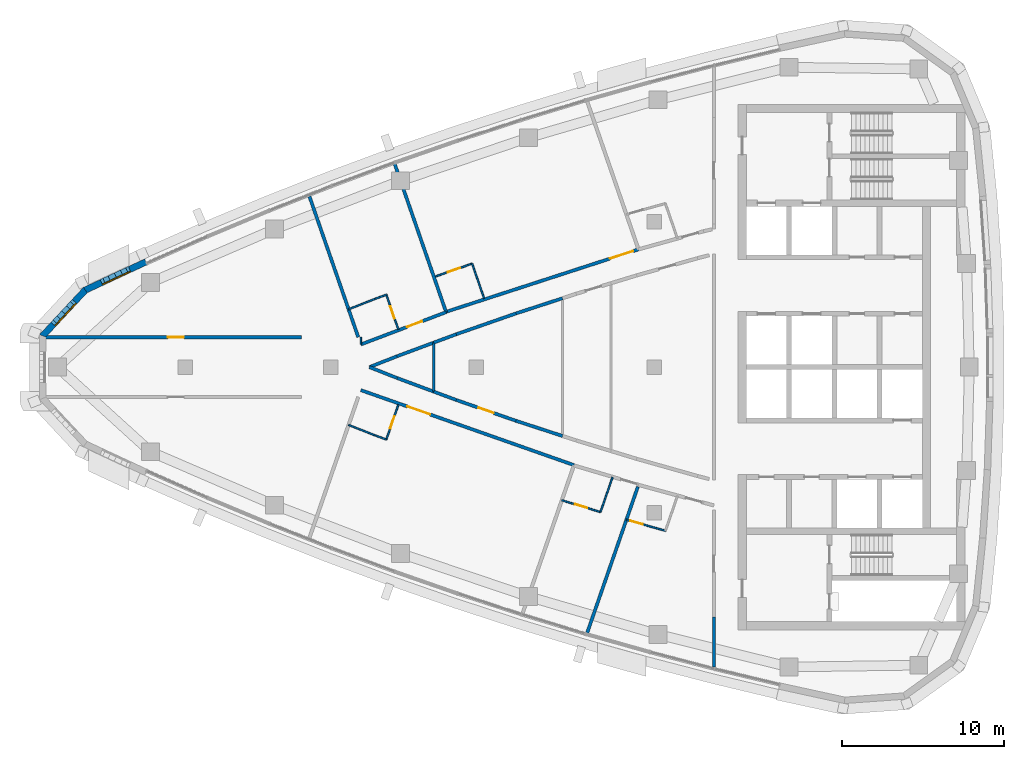
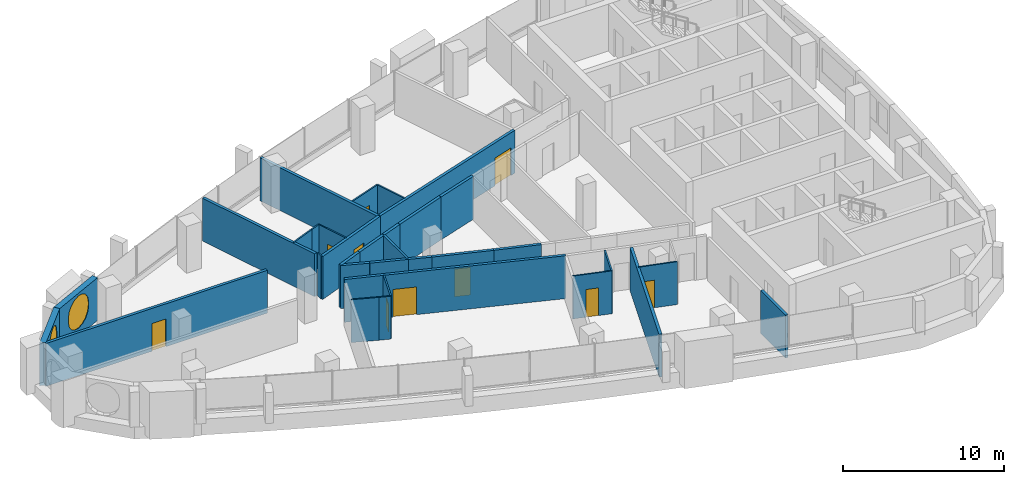
# One storey, part 7 of 14: 33 walls, 10 doors, 2 windows, 12 openings.
"""IFC4 building model written with IfcOpenShell, lengths in metres."""

from ifc_helpers import new_model, si_unit, direction, frame, frame_2d, origin, place, context, subcontext, project, spatial, polyline, rectangle, outline, extrude, material, layer, layer_set, type_object, element, fill, save


model = new_model("IFC4")

# Units and contexts
model_context = context("Model", 3, precision=1e-05, world=origin(), true_north=direction((0.0, 1.0)))
body_context = subcontext(model_context, "Body", "Model", "MODEL_VIEW")
ifc_project = project(units=[si_unit("LENGTHUNIT", "METRE"), si_unit("AREAUNIT", "SQUARE_METRE"), si_unit("VOLUMEUNIT", "CUBIC_METRE"), si_unit("PLANEANGLEUNIT", "RADIAN"), si_unit("MASSUNIT", "GRAM", prefix="KILO")], contexts=[model_context])

# Site, building, storey
site_placement = place(None, origin())
site = spatial("IfcSite", under=ifc_project, at=site_placement, CompositionType="ELEMENT")
building_placement = place(site_placement, origin())
building = spatial("IfcBuilding", under=site, at=building_placement, Name="Ostrand Prow Hotel Tower", CompositionType="ELEMENT")
storey_placement = place(building_placement, frame((0.0, 0.0, 271.449951171875)))
storey = spatial("IfcBuildingStorey", under=building, at=storey_placement, Name="L68", CompositionType="ELEMENT", Elevation=271.449951171875)

# Walls
ifc_material_1 = material(Name="Plasterboard partition")
ifc_layer_1 = layer(ifc_material_1, 0.10009765625)
ifc_layer_set_1 = layer_set([ifc_layer_1], Name="Plasterboard partition")
wall_type_1 = type_object("IfcWallType", Name="Partition 100 bathroom wall", PredefinedType="PARTITIONING", material=ifc_layer_set_1)
wall_1_placement = place(storey_placement, frame((26.095703125, 3.576171875, 0.0), z_axis=(0.0, 0.0, 1.0), x_axis=(0.930254925629, 0.366913850028, 0.0)))
element("IfcWall", 1, at=wall_1_placement, inside=storey, type_object=wall_type_1, Name="BATHROOM WALL", PredefinedType="PARTITIONING", context=body_context, shape_type="SweptSolid", body=[
    extrude(rectangle(XDim=1.760009765625, YDim=0.10009765625, at=frame_2d((0.8798828125, 0.0))), origin(), (0.0, 0.0, 1.0), 3.25),
])
wall_2_placement = place(storey_placement, frame((27.73291015625, 4.221923828125, 0.0), z_axis=(0.0, 0.0, 1.0), x_axis=(0.937514267289, 0.347946833049, 0.0)))
element("IfcWall", 2, at=wall_2_placement, inside=storey, type_object=wall_type_1, Name="BATHROOM WALL", PredefinedType="PARTITIONING", context=body_context, shape_type="SweptSolid", body=[
    extrude(rectangle(XDim=0.74169921875, YDim=0.10009765625, at=frame_2d((0.370849609375, 0.0))), origin(), (0.0, 0.0, 1.0), 3.25),
])

# Wall, opening, door
wall_3_placement = place(storey_placement, frame((28.42822265625, 4.47998046875, 0.0), z_axis=(0.0, 0.0, 1.0), x_axis=(0.327718024288, -0.944775579996, 0.0)))
wall_3 = element("IfcWall", 3, at=wall_3_placement, inside=storey, type_object=wall_type_1, Name="BATHROOM WALL", PredefinedType="PARTITIONING", context=body_context, shape_type="SweptSolid", body=[
    extrude(rectangle(XDim=2.27734375, YDim=0.10009765625, at=frame_2d((1.138671875, 0.0))), origin(), (0.0, 0.0, 1.0), 3.25),
])
opening_1_placement = place(wall_3_placement, frame((0.75, 0.0, 0.0)))
opening_1 = element("IfcOpeningElement", 4, at=opening_1_placement, cuts=wall_3, Name="Opening D2", PredefinedType="OPENING", context=body_context, shape_type="SweptSolid", body=[
    extrude(rectangle(XDim=0.800048828125, YDim=2.10009765625, at=frame_2d((0.39990234375, 1.050048828125))), frame((0.0, 0.06005859375, 0.0), z_axis=(0.0, -1.0, 0.0), x_axis=(1.0, 0.0, 0.0)), (0.0, 0.0, 1.0), 0.1201171875),
])
ifc_material_2 = material(Name="Timber door leaf", Category="wood")
door_type_1 = type_object("IfcDoorType", Name="Bathroom door 800", OperationType="SINGLE_SWING_LEFT", PredefinedType="DOOR", material=ifc_material_2)
door_1_placement = place(opening_1_placement, origin())
door_1 = element("IfcDoor", 5, at=door_1_placement, inside=storey, type_object=door_type_1, Name="DOOR", OperationType="SINGLE_SWING_LEFT", OverallHeight=2.10009765625, OverallWidth=0.800048828125, PredefinedType="DOOR", context=body_context, shape_type="SweptSolid", body=[
    extrude(rectangle(XDim=0.800048828125, YDim=2.10009765625, at=frame_2d((0.39990234375, 1.050048828125))), frame((0.0, 0.02490234375, 0.0), z_axis=(0.0, -1.0, 0.0), x_axis=(1.0, 0.0, 0.0)), (0.0, 0.0, 1.0), 0.050048828125),
])
fill(opening_1, door_1)

wall_4_placement = place(storey_placement, frame((31.472900390625, 5.610595703125, 0.0), z_axis=(0.0, 0.0, 1.0), x_axis=(0.944305532659, 0.329069994059, 0.0)))
wall_4 = element("IfcWall", 6, at=wall_4_placement, inside=storey, type_object=wall_type_1, Name="BATHROOM WALL", PredefinedType="PARTITIONING", context=body_context, shape_type="SweptSolid", body=[
    extrude(rectangle(XDim=2.395751953125, YDim=0.10009765625, at=frame_2d((1.19775390625, 0.0))), origin(), (0.0, 0.0, 1.0), 3.25),
])
opening_2_placement = place(wall_4_placement, frame((0.800048828125, 0.0, 0.0)))
opening_2 = element("IfcOpeningElement", 7, at=opening_2_placement, cuts=wall_4, Name="Opening D2", PredefinedType="OPENING", context=body_context, shape_type="SweptSolid", body=[
    extrude(rectangle(XDim=0.800048828125, YDim=2.10009765625, at=frame_2d((0.39990234375, 1.050048828125))), frame((0.0, 0.06005859375, 0.0), z_axis=(0.0, -1.0, 0.0), x_axis=(1.0, 0.0, 0.0)), (0.0, 0.0, 1.0), 0.1201171875),
])
door_2_placement = place(opening_2_placement, origin())
door_2 = element("IfcDoor", 8, at=door_2_placement, inside=storey, type_object=door_type_1, Name="DOOR", OperationType="SINGLE_SWING_LEFT", OverallHeight=2.10009765625, OverallWidth=0.800048828125, PredefinedType="DOOR", context=body_context, shape_type="SweptSolid", body=[
    extrude(rectangle(XDim=0.800048828125, YDim=2.10009765625, at=frame_2d((0.39990234375, 1.050048828125))), frame((0.0, 0.02490234375, 0.0), z_axis=(0.0, -1.0, 0.0), x_axis=(1.0, 0.0, 0.0)), (0.0, 0.0, 1.0), 0.050048828125),
])
fill(opening_2, door_2)

# Wall
wall_5_placement = place(storey_placement, frame((33.7353515625, 6.39892578125, 0.0), z_axis=(0.0, 0.0, 1.0), x_axis=(0.32768871219, -0.944785747089, 0.0)))
element("IfcWall", 9, at=wall_5_placement, inside=storey, type_object=wall_type_1, Name="BATHROOM WALL", PredefinedType="PARTITIONING", context=body_context, shape_type="SweptSolid", body=[
    extrude(rectangle(XDim=2.27685546875, YDim=0.10009765625, at=frame_2d((1.138427734375, 0.0))), origin(), (0.0, 0.0, 1.0), 3.25),
])

# Wall, opening, door
wall_6_placement = place(storey_placement, frame((29.174560546875, -2.328369140625, 0.0), z_axis=(0.0, 0.0, 1.0), x_axis=(-0.327718024288, -0.944775579996, 0.0)))
wall_6 = element("IfcWall", 10, at=wall_6_placement, inside=storey, type_object=wall_type_1, Name="BATHROOM WALL", PredefinedType="PARTITIONING", context=body_context, shape_type="SweptSolid", body=[
    extrude(rectangle(XDim=2.27734375, YDim=0.10009765625, at=frame_2d((1.138671875, 0.0))), origin(), (0.0, 0.0, 1.0), 3.25),
])
opening_3_placement = place(wall_6_placement, frame((0.75, 0.0, 0.0)))
opening_3 = element("IfcOpeningElement", 11, at=opening_3_placement, cuts=wall_6, Name="Opening D2", PredefinedType="OPENING", context=body_context, shape_type="SweptSolid", body=[
    extrude(rectangle(XDim=0.800048828125, YDim=2.10009765625, at=frame_2d((0.39990234375, 1.050048828125))), frame((0.0, 0.06005859375, 0.0), z_axis=(0.0, -1.0, 0.0), x_axis=(1.0, 0.0, 0.0)), (0.0, 0.0, 1.0), 0.1201171875),
])
door_3_placement = place(opening_3_placement, origin())
door_3 = element("IfcDoor", 12, at=door_3_placement, inside=storey, type_object=door_type_1, Name="DOOR", OperationType="SINGLE_SWING_LEFT", OverallHeight=2.10009765625, OverallWidth=0.800048828125, PredefinedType="DOOR", context=body_context, shape_type="SweptSolid", body=[
    extrude(rectangle(XDim=0.800048828125, YDim=2.10009765625, at=frame_2d((0.39990234375, 1.050048828125))), frame((0.0, 0.02490234375, 0.0), z_axis=(0.0, -1.0, 0.0), x_axis=(1.0, 0.0, 0.0)), (0.0, 0.0, 1.0), 0.050048828125),
])
fill(opening_3, door_3)

# Walls
wall_7_placement = place(storey_placement, frame((28.42822265625, -4.47998046875, 0.0), z_axis=(0.0, 0.0, 1.0), x_axis=(-0.937514267289, 0.347946833049, 0.0)))
element("IfcWall", 13, at=wall_7_placement, inside=storey, type_object=wall_type_1, Name="BATHROOM WALL", PredefinedType="PARTITIONING", context=body_context, shape_type="SweptSolid", body=[
    extrude(rectangle(XDim=0.74169921875, YDim=0.10009765625, at=frame_2d((0.370849609375, 0.0))), origin(), (0.0, 0.0, 1.0), 3.25),
])
wall_8_placement = place(storey_placement, frame((27.73291015625, -4.221923828125, 0.0), z_axis=(0.0, 0.0, 1.0), x_axis=(-0.930254925629, 0.366913850028, 0.0)))
element("IfcWall", 14, at=wall_8_placement, inside=storey, type_object=wall_type_1, Name="BATHROOM WALL", PredefinedType="PARTITIONING", context=body_context, shape_type="SweptSolid", body=[
    extrude(rectangle(XDim=1.760009765625, YDim=0.10009765625, at=frame_2d((0.8798828125, 0.0))), origin(), (0.0, 0.0, 1.0), 3.25),
])
wall_9_placement = place(storey_placement, frame((42.42822265625, -6.813232421875, 0.0), z_axis=(0.0, 0.0, 1.0), x_axis=(-0.327743427431, -0.944766767925, 0.0)))
element("IfcWall", 15, at=wall_9_placement, inside=storey, type_object=wall_type_1, Name="BATHROOM WALL", PredefinedType="PARTITIONING", context=body_context, shape_type="SweptSolid", body=[
    extrude(rectangle(XDim=2.27880859375, YDim=0.10009765625, at=frame_2d((1.139404296875, 0.0))), origin(), (0.0, 0.0, 1.0), 3.25),
])

# Wall, opening, door
wall_10_placement = place(storey_placement, frame((41.681396484375, -8.96630859375, 0.0), z_axis=(0.0, 0.0, 1.0), x_axis=(-0.956723503196, 0.290998519638, 0.0)))
wall_10 = element("IfcWall", 16, at=wall_10_placement, inside=storey, type_object=wall_type_1, Name="BATHROOM WALL", PredefinedType="PARTITIONING", context=body_context, shape_type="SweptSolid", body=[
    extrude(rectangle(XDim=2.501708984375, YDim=0.10009765625, at=frame_2d((1.2509765625, 0.0))), origin(), (0.0, 0.0, 1.0), 3.25),
])
opening_4_placement = place(wall_10_placement, frame((0.85009765625, 0.0, 0.0)))
opening_4 = element("IfcOpeningElement", 17, at=opening_4_placement, cuts=wall_10, Name="Opening D2", PredefinedType="OPENING", context=body_context, shape_type="SweptSolid", body=[
    extrude(rectangle(XDim=0.800048828125, YDim=2.10009765625, at=frame_2d((0.39990234375, 1.050048828125))), frame((0.0, 0.06005859375, 0.0), z_axis=(0.0, -1.0, 0.0), x_axis=(1.0, 0.0, 0.0)), (0.0, 0.0, 1.0), 0.1201171875),
])
door_4_placement = place(opening_4_placement, origin())
door_4 = element("IfcDoor", 18, at=door_4_placement, inside=storey, type_object=door_type_1, Name="DOOR", OperationType="SINGLE_SWING_LEFT", OverallHeight=2.10009765625, OverallWidth=0.800048828125, PredefinedType="DOOR", context=body_context, shape_type="SweptSolid", body=[
    extrude(rectangle(XDim=0.800048828125, YDim=2.10009765625, at=frame_2d((0.39990234375, 1.050048828125))), frame((0.0, 0.02490234375, 0.0), z_axis=(0.0, -1.0, 0.0), x_axis=(1.0, 0.0, 0.0)), (0.0, 0.0, 1.0), 0.050048828125),
])
fill(opening_4, door_4)

wall_11_placement = place(storey_placement, frame((45.69287109375, -10.123779296875, 0.0), z_axis=(0.0, 0.0, 1.0), x_axis=(-0.962409173596, 0.271603723424, 0.0)))
wall_11 = element("IfcWall", 19, at=wall_11_placement, inside=storey, type_object=wall_type_1, Name="BATHROOM WALL", PredefinedType="PARTITIONING", context=body_context, shape_type="SweptSolid", body=[
    extrude(rectangle(XDim=2.50439453125, YDim=0.10009765625, at=frame_2d((1.252197265625, 0.0))), origin(), (0.0, 0.0, 1.0), 3.25),
])
opening_5_placement = place(wall_11_placement, frame((1.449951171875, 0.0, 0.0)))
opening_5 = element("IfcOpeningElement", 20, at=opening_5_placement, cuts=wall_11, Name="Opening D2", PredefinedType="OPENING", context=body_context, shape_type="SweptSolid", body=[
    extrude(rectangle(XDim=0.800048828125, YDim=2.10009765625, at=frame_2d((0.39990234375, 1.050048828125))), frame((0.0, 0.06005859375, 0.0), z_axis=(0.0, -1.0, 0.0), x_axis=(1.0, 0.0, 0.0)), (0.0, 0.0, 1.0), 0.1201171875),
])
door_5_placement = place(opening_5_placement, origin())
door_5 = element("IfcDoor", 21, at=door_5_placement, inside=storey, type_object=door_type_1, Name="DOOR", OperationType="SINGLE_SWING_LEFT", OverallHeight=2.10009765625, OverallWidth=0.800048828125, PredefinedType="DOOR", context=body_context, shape_type="SweptSolid", body=[
    extrude(rectangle(XDim=0.800048828125, YDim=2.10009765625, at=frame_2d((0.39990234375, 1.050048828125))), frame((0.0, 0.02490234375, 0.0), z_axis=(0.0, -1.0, 0.0), x_axis=(1.0, 0.0, 0.0)), (0.0, 0.0, 1.0), 0.050048828125),
])
fill(opening_5, door_5)

# Walls
wall_12_placement = place(storey_placement, frame((26.8564453125, 1.4091796875, 0.0), z_axis=(0.0, 0.0, 1.0), x_axis=(-0.003863105832, 0.999992538179, 0.0)))
element("IfcWall", 22, at=wall_12_placement, inside=storey, type_object=wall_type_1, Name="BATHROOM WALL", PredefinedType="PARTITIONING", context=body_context, shape_type="SweptSolid", body=[
    extrude(rectangle(XDim=0.4423828125, YDim=0.10009765625, at=frame_2d((0.22119140625, 0.0))), origin(), (0.0, 0.0, 1.0), 3.25),
])
ifc_material_3 = material(Name="Plasterboard partition")
ifc_layer_2 = layer(ifc_material_3, 0.14990234375)
ifc_layer_set_2 = layer_set([ifc_layer_2], Name="Plasterboard partition")
wall_type_2 = type_object("IfcWallType", Name="Partition 150 room partition", PredefinedType="PARTITIONING", material=ifc_layer_set_2)
wall_13_placement = place(storey_placement, frame((31.366943359375, -1.517578125, 0.0), z_axis=(0.0, 0.0, 1.0), x_axis=(0.0, 1.0, 0.0)))
element("IfcWall", 23, at=wall_13_placement, inside=storey, type_object=wall_type_2, Name="ROOM PARTITION", PredefinedType="PARTITIONING", context=body_context, shape_type="SweptSolid", body=[
    extrude(rectangle(XDim=3.03515625, YDim=0.14990234375, at=frame_2d((1.517578125, 0.0))), origin(), (0.0, 0.0, 1.0), 3.25),
])

# Wall, opening, door
ifc_material_4 = material(Name="Plasterboard partition")
ifc_layer_3 = layer(ifc_material_4, 0.199951171875)
ifc_layer_set_3 = layer_set([ifc_layer_3], Name="Plasterboard partition")
wall_type_3 = type_object("IfcWallType", Name="Partition 200 corridor wall", PredefinedType="PARTITIONING", material=ifc_layer_set_3)
wall_14_placement = place(storey_placement, frame((7.287109375, 1.85009765625, 0.0), z_axis=(0.0, 0.0, 1.0), x_axis=(1.0, 0.0, 0.0)))
wall_14 = element("IfcWall", 24, at=wall_14_placement, inside=storey, type_object=wall_type_3, Name="CORRIDOR WALL", PredefinedType="PARTITIONING", context=body_context, shape_type="SweptSolid", body=[
    extrude(rectangle(XDim=15.898681640625, YDim=0.199951171875, at=frame_2d((7.94921875, 0.0))), origin(), (0.0, 0.0, 1.0), 3.25),
])
opening_6_placement = place(wall_14_placement, frame((7.6240234375, 0.0, 0.0)))
opening_6 = element("IfcOpeningElement", 25, at=opening_6_placement, cuts=wall_14, Name="Opening D1", PredefinedType="OPENING", context=body_context, shape_type="SweptSolid", body=[
    extrude(rectangle(XDim=1.0, YDim=2.10009765625, at=frame_2d((0.5, 1.050048828125))), frame((0.0, 0.10986328125, 0.0), z_axis=(0.0, -1.0, 0.0), x_axis=(1.0, 0.0, 0.0)), (0.0, 0.0, 1.0), 0.219970703125),
])
ifc_material_5 = material(Name="Timber door leaf", Category="wood")
door_type_2 = type_object("IfcDoorType", Name="Guest room door 1000", OperationType="SINGLE_SWING_LEFT", PredefinedType="DOOR", material=ifc_material_5)
door_6_placement = place(opening_6_placement, origin())
door_6 = element("IfcDoor", 26, at=door_6_placement, inside=storey, type_object=door_type_2, Name="DOOR", OperationType="SINGLE_SWING_LEFT", OverallHeight=2.10009765625, OverallWidth=1.0, PredefinedType="DOOR", context=body_context, shape_type="SweptSolid", body=[
    extrude(rectangle(XDim=1.0, YDim=2.10009765625, at=frame_2d((0.5, 1.050048828125))), frame((0.0, 0.02490234375, 0.0), z_axis=(0.0, -1.0, 0.0), x_axis=(1.0, 0.0, 0.0)), (0.0, 0.0, 1.0), 0.050048828125),
])
fill(opening_6, door_6)

wall_15_placement = place(storey_placement, frame((26.85009765625, 1.4013671875, 0.0), z_axis=(0.0, 0.0, 1.0), x_axis=(0.935181367748, 0.354169181912, 0.0)))
wall_15 = element("IfcWall", 27, at=wall_15_placement, inside=storey, type_object=wall_type_3, Name="CORRIDOR WALL", PredefinedType="PARTITIONING", context=body_context, shape_type="SweptSolid", body=[
    extrude(rectangle(XDim=5.64501953125, YDim=0.199951171875, at=frame_2d((2.822509765625, 0.0))), origin(), (0.0, 0.0, 1.0), 3.25),
])
opening_7_placement = place(wall_15_placement, frame((3.050048828125, 0.0, 0.0)))
opening_7 = element("IfcOpeningElement", 28, at=opening_7_placement, cuts=wall_15, Name="Opening D1R", PredefinedType="OPENING", context=body_context, shape_type="SweptSolid", body=[
    extrude(rectangle(XDim=1.0, YDim=2.10009765625, at=frame_2d((0.5, 1.050048828125))), frame((0.0, 0.10986328125, 0.0), z_axis=(0.0, -1.0, 0.0), x_axis=(1.0, 0.0, 0.0)), (0.0, 0.0, 1.0), 0.219970703125),
])
ifc_material_6 = material(Name="Timber door leaf", Category="wood")
door_type_3 = type_object("IfcDoorType", Name="Guest room door 1000 right", OperationType="SINGLE_SWING_RIGHT", PredefinedType="DOOR", material=ifc_material_6)
door_7_placement = place(opening_7_placement, origin())
door_7 = element("IfcDoor", 29, at=door_7_placement, inside=storey, type_object=door_type_3, Name="DOOR", OperationType="SINGLE_SWING_RIGHT", OverallHeight=2.10009765625, OverallWidth=1.0, PredefinedType="DOOR", context=body_context, shape_type="SweptSolid", body=[
    extrude(rectangle(XDim=1.0, YDim=2.10009765625, at=frame_2d((0.5, 1.050048828125))), frame((0.0, 0.02490234375, 0.0), z_axis=(0.0, -1.0, 0.0), x_axis=(1.0, 0.0, 0.0)), (0.0, 0.0, 1.0), 0.050048828125),
])
fill(opening_7, door_7)

wall_16_placement = place(storey_placement, frame((44.03125, 7.285888671875, 0.0), z_axis=(0.0, 0.0, 1.0), x_axis=(-0.951130603276, -0.308788885019, 0.0)))
wall_16 = element("IfcWall", 30, at=wall_16_placement, inside=storey, type_object=wall_type_3, Name="CORRIDOR WALL", PredefinedType="PARTITIONING", context=body_context, shape_type="SweptSolid", body=[
    extrude(rectangle(XDim=12.5205078125, YDim=0.199951171875, at=frame_2d((6.26025390625, 0.0))), origin(), (0.0, 0.0, 1.0), 3.25),
])
opening_8_placement = place(wall_16_placement, frame((0.35009765625, 0.0, 0.0)))
opening_8 = element("IfcOpeningElement", 31, at=opening_8_placement, cuts=wall_16, Name="Opening D15", PredefinedType="OPENING", context=body_context, shape_type="SweptSolid", body=[
    extrude(rectangle(XDim=1.5, YDim=2.10009765625, at=frame_2d((0.75, 1.050048828125))), frame((0.0, 0.10986328125, 0.0), z_axis=(0.0, -1.0, 0.0), x_axis=(1.0, 0.0, 0.0)), (0.0, 0.0, 1.0), 0.219970703125),
])
ifc_material_7 = material(Name="Timber door leaf", Category="wood")
door_type_4 = type_object("IfcDoorType", Name="Double door 1500", OperationType="DOUBLE_DOOR_SINGLE_SWING", PredefinedType="DOOR", material=ifc_material_7)
door_8_placement = place(opening_8_placement, origin())
door_8 = element("IfcDoor", 32, at=door_8_placement, inside=storey, type_object=door_type_4, Name="DOOR", OperationType="DOUBLE_DOOR_SINGLE_SWING", OverallHeight=2.10009765625, OverallWidth=1.5, PredefinedType="DOOR", context=body_context, shape_type="SweptSolid", body=[
    extrude(rectangle(XDim=1.5, YDim=2.10009765625, at=frame_2d((0.75, 1.050048828125))), frame((0.0, 0.02490234375, 0.0), z_axis=(0.0, -1.0, 0.0), x_axis=(1.0, 0.0, 0.0)), (0.0, 0.0, 1.0), 0.050048828125),
])
fill(opening_8, door_8)

wall_17_placement = place(storey_placement, frame((26.85009765625, -1.4228515625, 0.0), z_axis=(0.0, 0.0, 1.0), x_axis=(0.943328585164, -0.331860182022, 0.0)))
wall_17 = element("IfcWall", 33, at=wall_17_placement, inside=storey, type_object=wall_type_3, Name="CORRIDOR WALL", PredefinedType="PARTITIONING", context=body_context, shape_type="SweptSolid", body=[
    extrude(rectangle(XDim=13.984375, YDim=0.199951171875, at=frame_2d((6.9921875, 0.0))), origin(), (0.0, 0.0, 1.0), 3.25),
])
opening_9_placement = place(wall_17_placement, frame((3.050048828125, 0.0, 0.0)))
opening_9 = element("IfcOpeningElement", 34, at=opening_9_placement, cuts=wall_17, Name="Opening D15", PredefinedType="OPENING", context=body_context, shape_type="SweptSolid", body=[
    extrude(rectangle(XDim=1.5, YDim=2.10009765625, at=frame_2d((0.75, 1.050048828125))), frame((0.0, 0.10986328125, 0.0), z_axis=(0.0, -1.0, 0.0), x_axis=(1.0, 0.0, 0.0)), (0.0, 0.0, 1.0), 0.219970703125),
])
door_9_placement = place(opening_9_placement, origin())
door_9 = element("IfcDoor", 35, at=door_9_placement, inside=storey, type_object=door_type_4, Name="DOOR", OperationType="DOUBLE_DOOR_SINGLE_SWING", OverallHeight=2.10009765625, OverallWidth=1.5, PredefinedType="DOOR", context=body_context, shape_type="SweptSolid", body=[
    extrude(rectangle(XDim=1.5, YDim=2.10009765625, at=frame_2d((0.75, 1.050048828125))), frame((0.0, 0.02490234375, 0.0), z_axis=(0.0, -1.0, 0.0), x_axis=(1.0, 0.0, 0.0)), (0.0, 0.0, 1.0), 0.050048828125),
])
fill(opening_9, door_9)

# Walls
wall_18_placement = place(storey_placement, frame((29.091552734375, 0.6728515625, 0.0), z_axis=(0.0, 0.0, 1.0), x_axis=(0.937481542944, 0.348034993411, 0.0)))
element("IfcWall", 36, at=wall_18_placement, inside=storey, type_object=wall_type_3, Name="CORRIDOR WALL", PredefinedType="PARTITIONING", context=body_context, shape_type="SweptSolid", body=[
    extrude(rectangle(XDim=2.42724609375, YDim=0.199951171875, at=frame_2d((1.213623046875, 0.0))), origin(), (0.0, 0.0, 1.0), 3.25),
])
for number, where, z_axis, x_axis, name in (
    (37, (29.091552734375, -0.6728515625, 0.0), (0.0, 0.0, 1.0), (-0.930265251482, 0.366887669302, 0.0), "CORRIDOR WALL"),
    (38, (27.385498046875, 0.0, 0.0), (0.0, 0.0, 1.0), (0.930265251482, 0.366887669302, 0.0), "CORRIDOR WALL"),
):
    element("IfcWall", number, at=place(storey_placement, frame(where, z_axis=z_axis, x_axis=x_axis)), inside=storey, type_object=wall_type_3, Name=name, PredefinedType="PARTITIONING", context=body_context, shape_type="SweptSolid", body=[
        extrude(rectangle(XDim=1.833984375, YDim=0.199951171875, at=frame_2d((0.9169921875, 0.0))), origin(), (0.0, 0.0, 1.0), 3.25),
    ])
wall_19_placement = place(storey_placement, frame((31.366943359375, -1.517578125, 0.0), z_axis=(0.0, 0.0, 1.0), x_axis=(-0.937481542944, 0.348034993411, 0.0)))
element("IfcWall", 39, at=wall_19_placement, inside=storey, type_object=wall_type_3, Name="CORRIDOR WALL", PredefinedType="PARTITIONING", context=body_context, shape_type="SweptSolid", body=[
    extrude(rectangle(XDim=2.42724609375, YDim=0.199951171875, at=frame_2d((1.213623046875, 0.0))), origin(), (0.0, 0.0, 1.0), 3.25),
])

# Wall, opening, door
wall_20_placement = place(storey_placement, frame((36.45458984375, -3.32275390625, 0.0), z_axis=(0.0, 0.0, 1.0), x_axis=(-0.944283635062, 0.329132825093, 0.0)))
wall_20 = element("IfcWall", 40, at=wall_20_placement, inside=storey, type_object=wall_type_3, Name="CORRIDOR WALL", PredefinedType="PARTITIONING", context=body_context, shape_type="SweptSolid", body=[
    extrude(rectangle(XDim=3.912841796875, YDim=0.199951171875, at=frame_2d((1.95654296875, 0.0))), origin(), (0.0, 0.0, 1.0), 3.25),
])
opening_10_placement = place(wall_20_placement, frame((1.45654296875, 0.0, 0.0)))
opening_10 = element("IfcOpeningElement", 41, at=opening_10_placement, cuts=wall_20, Name="Opening D1", PredefinedType="OPENING", context=body_context, shape_type="SweptSolid", body=[
    extrude(rectangle(XDim=1.0, YDim=2.10009765625, at=frame_2d((0.5, 1.050048828125))), frame((0.0, 0.10986328125, 0.0), z_axis=(0.0, -1.0, 0.0), x_axis=(1.0, 0.0, 0.0)), (0.0, 0.0, 1.0), 0.219970703125),
])
door_10_placement = place(opening_10_placement, origin())
door_10 = element("IfcDoor", 42, at=door_10_placement, inside=storey, type_object=door_type_2, Name="DOOR", OperationType="SINGLE_SWING_LEFT", OverallHeight=2.10009765625, OverallWidth=1.0, PredefinedType="DOOR", context=body_context, shape_type="SweptSolid", body=[
    extrude(rectangle(XDim=1.0, YDim=2.10009765625, at=frame_2d((0.5, 1.050048828125))), frame((0.0, 0.02490234375, 0.0), z_axis=(0.0, -1.0, 0.0), x_axis=(1.0, 0.0, 0.0)), (0.0, 0.0, 1.0), 0.050048828125),
])
fill(opening_10, door_10)

# Walls
wall_21_placement = place(storey_placement, frame((39.32958984375, -4.260498046875, 0.0), z_axis=(0.0, 0.0, 1.0), x_axis=(-0.95070604111, 0.310093572003, 0.0)))
element("IfcWall", 43, at=wall_21_placement, inside=storey, type_object=wall_type_3, Name="CORRIDOR WALL", PredefinedType="PARTITIONING", context=body_context, shape_type="SweptSolid", body=[
    extrude(rectangle(XDim=3.024169921875, YDim=0.199951171875, at=frame_2d((1.51220703125, 0.0))), origin(), (0.0, 0.0, 1.0), 3.25),
])
for number, where, z_axis, x_axis, name in (
    (44, (32.759765625, -2.034912109375, 0.0), (0.0, 0.0, 1.0), (-0.93742527201, 0.348186529604, 0.0), "CORRIDOR WALL"),
    (45, (31.366943359375, 1.517578125, 0.0), (0.0, 0.0, 1.0), (0.93742527201, 0.348186529604, 0.0), "CORRIDOR WALL"),
):
    element("IfcWall", number, at=place(storey_placement, frame(where, z_axis=z_axis, x_axis=x_axis)), inside=storey, type_object=wall_type_3, Name=name, PredefinedType="PARTITIONING", context=body_context, shape_type="SweptSolid", body=[
        extrude(rectangle(XDim=1.48583984375, YDim=0.199951171875, at=frame_2d((0.742919921875, 0.0))), origin(), (0.0, 0.0, 1.0), 3.25),
    ])
wall_22_placement = place(storey_placement, frame((32.759765625, 2.034912109375, 0.0), z_axis=(0.0, 0.0, 1.0), x_axis=(0.944283635062, 0.329132825093, 0.0)))
element("IfcWall", 46, at=wall_22_placement, inside=storey, type_object=wall_type_3, Name="CORRIDOR WALL", PredefinedType="PARTITIONING", context=body_context, shape_type="SweptSolid", body=[
    extrude(rectangle(XDim=3.912841796875, YDim=0.199951171875, at=frame_2d((1.95654296875, 0.0))), origin(), (0.0, 0.0, 1.0), 3.25),
])
wall_23_placement = place(storey_placement, frame((36.45458984375, 3.32275390625, 0.0), z_axis=(0.0, 0.0, 1.0), x_axis=(0.95070604111, 0.310093572003, 0.0)))
element("IfcWall", 47, at=wall_23_placement, inside=storey, type_object=wall_type_3, Name="CORRIDOR WALL", PredefinedType="PARTITIONING", context=body_context, shape_type="SweptSolid", body=[
    extrude(rectangle(XDim=3.024169921875, YDim=0.199951171875, at=frame_2d((1.51220703125, 0.0))), origin(), (0.0, 0.0, 1.0), 3.25),
])
wall_24_placement = place(storey_placement, frame((48.695068359375, -15.455078125, 0.0), z_axis=(0.0, 0.0, 1.0), x_axis=(0.0, -1.0, 0.0)))
element("IfcWall", 48, at=wall_24_placement, inside=storey, type_object=wall_type_3, Name="CORRIDOR WALL", PredefinedType="PARTITIONING", context=body_context, shape_type="SweptSolid", body=[
    extrude(rectangle(XDim=3.09814453125, YDim=0.199951171875, at=frame_2d((1.549072265625, 0.0))), origin(), (0.0, 0.0, 1.0), 3.25),
])
ifc_material_8 = material(Name="Plasterboard partition")
ifc_layer_4 = layer(ifc_material_8, 0.199951171875)
ifc_layer_set_4 = layer_set([ifc_layer_4], Name="Plasterboard partition")
wall_type_4 = type_object("IfcWallType", Name="Partition 200 key partition", PredefinedType="PARTITIONING", material=ifc_layer_set_4)
wall_25_placement = place(storey_placement, frame((26.6943359375, 1.85009765625, 0.0), z_axis=(0.0, 0.0, 1.0), x_axis=(-0.327714422317, 0.944776829418, 0.0)))
element("IfcWall", 49, at=wall_25_placement, inside=storey, type_object=wall_type_4, Name="KEY PARTITION", PredefinedType="PARTITIONING", context=body_context, shape_type="SweptSolid", body=[
    extrude(rectangle(XDim=9.2333984375, YDim=0.199951171875, at=frame_2d((4.61669921875, 0.0))), origin(), (0.0, 0.0, 1.0), 3.25),
])
wall_26_placement = place(storey_placement, frame((32.129150390625, 3.400634765625, 0.0), z_axis=(0.0, 0.0, 1.0), x_axis=(-0.327724115377, 0.944773467134, 0.0)))
element("IfcWall", 50, at=wall_26_placement, inside=storey, type_object=wall_type_4, Name="KEY PARTITION", PredefinedType="PARTITIONING", context=body_context, shape_type="SweptSolid", body=[
    extrude(rectangle(XDim=9.702392578125, YDim=0.199951171875, at=frame_2d((4.85107421875, 0.0))), origin(), (0.0, 0.0, 1.0), 3.25),
])
wall_27_placement = place(storey_placement, frame((40.853515625, -16.447021484375, 0.0), z_axis=(0.0, 0.0, 1.0), x_axis=(0.327714654767, 0.944776748788, 0.0)))
element("IfcWall", 51, at=wall_27_placement, inside=storey, type_object=wall_type_4, Name="KEY PARTITION", PredefinedType="PARTITIONING", context=body_context, shape_type="SweptSolid", body=[
    extrude(rectangle(XDim=9.57666015625, YDim=0.199951171875, at=frame_2d((4.788330078125, 0.0))), origin(), (0.0, 0.0, 1.0), 3.25),
])

# Wall, opening, window
ifc_material_9 = material(Name="Precast concrete C40/50", Category="concrete")
ifc_layer_5 = layer(ifc_material_9, 0.39990234375)
ifc_layer_set_5 = layer_set([ifc_layer_5], Name="Precast concrete C40/50")
wall_type_5 = type_object("IfcWallType", Name="Stone-faced precast wall 400 mm", PredefinedType="NOTDEFINED", material=ifc_layer_set_5)
wall_28_placement = place(storey_placement, frame((13.55859375, 6.5146484375, 0.0), z_axis=(0.0, 0.0, 1.0), x_axis=(-0.906485602396, -0.42223672584, 0.0)))
wall_28 = element("IfcWall", 52, at=wall_28_placement, inside=storey, type_object=wall_type_5, Name="Stone-faced wall prow 1", PredefinedType="NOTDEFINED", context=body_context, shape_type="SweptSolid", body=[
    extrude(outline(polyline([(0.0, -0.199951171875), (4.1806640625, -0.199951171875), (4.1025390625, 0.199951171875), (0.0, 0.199951171875), (0.0, -0.199951171875)])), origin(), (0.0, 0.0, 1.0), 3.25),
])
opening_11_placement = place(wall_28_placement, frame((0.970947265625, 0.0, 0.60009765625)))
opening_11 = element("IfcOpeningElement", 53, at=opening_11_placement, cuts=wall_28, Name="Opening WP1", PredefinedType="OPENING", context=body_context, shape_type="SweptSolid", body=[
    extrude(outline(polyline([(0.0, 1.35009765625), (0.083740234375, 1.77099609375), (0.322265625, 2.127685546875), (0.678955078125, 2.3662109375), (1.10009765625, 2.449951171875), (1.52099609375, 2.3662109375), (1.877685546875, 2.127685546875), (2.1162109375, 1.77099609375), (2.199951171875, 1.35009765625), (2.199951171875, 1.10009765625), (2.1162109375, 0.678955078125), (1.877685546875, 0.322265625), (1.52099609375, 0.083740234375), (1.10009765625, 0.0), (0.678955078125, 0.083740234375), (0.322265625, 0.322265625), (0.083740234375, 0.678955078125), (0.0, 1.099853515625), (0.0, 1.35009765625)])), frame((0.0, 0.2099609375, 0.0), z_axis=(0.0, -1.0, 0.0), x_axis=(1.0, 0.0, 0.0)), (0.0, 0.0, 1.0), 0.419921875),
])
ifc_material_10 = material(Name="Insulated glass in bronze frame", Category="glass")
window_type = type_object("IfcWindowType", Name="Round-ended prow window 2200x2450", PartitioningType="SINGLE_PANEL", PredefinedType="WINDOW", material=ifc_material_10)
window_1_placement = place(opening_11_placement, origin())
window_1 = element("IfcWindow", 54, at=window_1_placement, inside=storey, type_object=window_type, Name="Window prow 1.1", OverallHeight=2.449951171875, OverallWidth=2.199951171875, PartitioningType="SINGLE_PANEL", PredefinedType="WINDOW", context=body_context, shape_type="SweptSolid", body=[
    extrude(outline(polyline([(0.0, 1.35009765625), (0.083740234375, 1.77099609375), (0.322265625, 2.127685546875), (0.678955078125, 2.3662109375), (1.10009765625, 2.449951171875), (1.52099609375, 2.3662109375), (1.877685546875, 2.127685546875), (2.1162109375, 1.77099609375), (2.199951171875, 1.35009765625), (2.199951171875, 1.10009765625), (2.1162109375, 0.678955078125), (1.877685546875, 0.322265625), (1.52099609375, 0.083740234375), (1.10009765625, 0.0), (0.678955078125, 0.083740234375), (0.322265625, 0.322265625), (0.083740234375, 0.678955078125), (0.0, 1.099853515625), (0.0, 1.35009765625)])), frame((0.0, 0.169921875, 0.0), z_axis=(0.0, -1.0, 0.0), x_axis=(1.0, 0.0, 0.0)), (0.0, 0.0, 1.0), 0.06005859375),
])
fill(opening_11, window_1)

wall_29_placement = place(storey_placement, frame((9.80419921875, 4.765869140625, 0.0), z_axis=(0.0, 0.0, 1.0), x_axis=(-0.6815467277, -0.73177459505, 0.0)))
wall_29 = element("IfcWall", 55, at=wall_29_placement, inside=storey, type_object=wall_type_5, Name="Stone-faced wall prow 2", PredefinedType="NOTDEFINED", context=body_context, shape_type="SweptSolid", body=[
    extrude(outline(polyline([(-0.0390625, -0.199951171875), (3.94775390625, -0.199951171875), (3.79052734375, 0.199951171875), (0.0390625, 0.199951171875), (-0.0390625, -0.199951171875)])), origin(), (0.0, 0.0, 1.0), 3.25),
])
opening_12_placement = place(wall_29_placement, frame((0.834716796875, 0.0, 0.60009765625)))
opening_12 = element("IfcOpeningElement", 56, at=opening_12_placement, cuts=wall_29, Name="Opening WP1", PredefinedType="OPENING", context=body_context, shape_type="SweptSolid", body=[
    extrude(outline(polyline([(0.0, 1.35009765625), (0.083740234375, 1.77099609375), (0.322265625, 2.127685546875), (0.678955078125, 2.3662109375), (1.10009765625, 2.449951171875), (1.52099609375, 2.3662109375), (1.877685546875, 2.127685546875), (2.1162109375, 1.77099609375), (2.199951171875, 1.35009765625), (2.199951171875, 1.10009765625), (2.1162109375, 0.678955078125), (1.877685546875, 0.322265625), (1.52099609375, 0.083740234375), (1.10009765625, 0.0), (0.678955078125, 0.083740234375), (0.322265625, 0.322265625), (0.083740234375, 0.678955078125), (0.0, 1.099853515625), (0.0, 1.35009765625)])), frame((0.0, 0.2099609375, 0.0), z_axis=(0.0, -1.0, 0.0), x_axis=(1.0, 0.0, 0.0)), (0.0, 0.0, 1.0), 0.419921875),
])
window_2_placement = place(opening_12_placement, origin())
window_2 = element("IfcWindow", 57, at=window_2_placement, inside=storey, type_object=window_type, Name="Window prow 2.1", OverallHeight=2.449951171875, OverallWidth=2.199951171875, PartitioningType="SINGLE_PANEL", PredefinedType="WINDOW", context=body_context, shape_type="SweptSolid", body=[
    extrude(outline(polyline([(0.0, 1.35009765625), (0.083740234375, 1.77099609375), (0.322265625, 2.127685546875), (0.678955078125, 2.3662109375), (1.10009765625, 2.449951171875), (1.52099609375, 2.3662109375), (1.877685546875, 2.127685546875), (2.1162109375, 1.77099609375), (2.199951171875, 1.35009765625), (2.199951171875, 1.10009765625), (2.1162109375, 0.678955078125), (1.877685546875, 0.322265625), (1.52099609375, 0.083740234375), (1.10009765625, 0.0), (0.678955078125, 0.083740234375), (0.322265625, 0.322265625), (0.083740234375, 0.678955078125), (0.0, 1.099853515625), (0.0, 1.35009765625)])), frame((0.0, 0.169921875, 0.0), z_axis=(0.0, -1.0, 0.0), x_axis=(1.0, 0.0, 0.0)), (0.0, 0.0, 1.0), 0.06005859375),
])
fill(opening_12, window_2)

save(model, "model.ifc")
